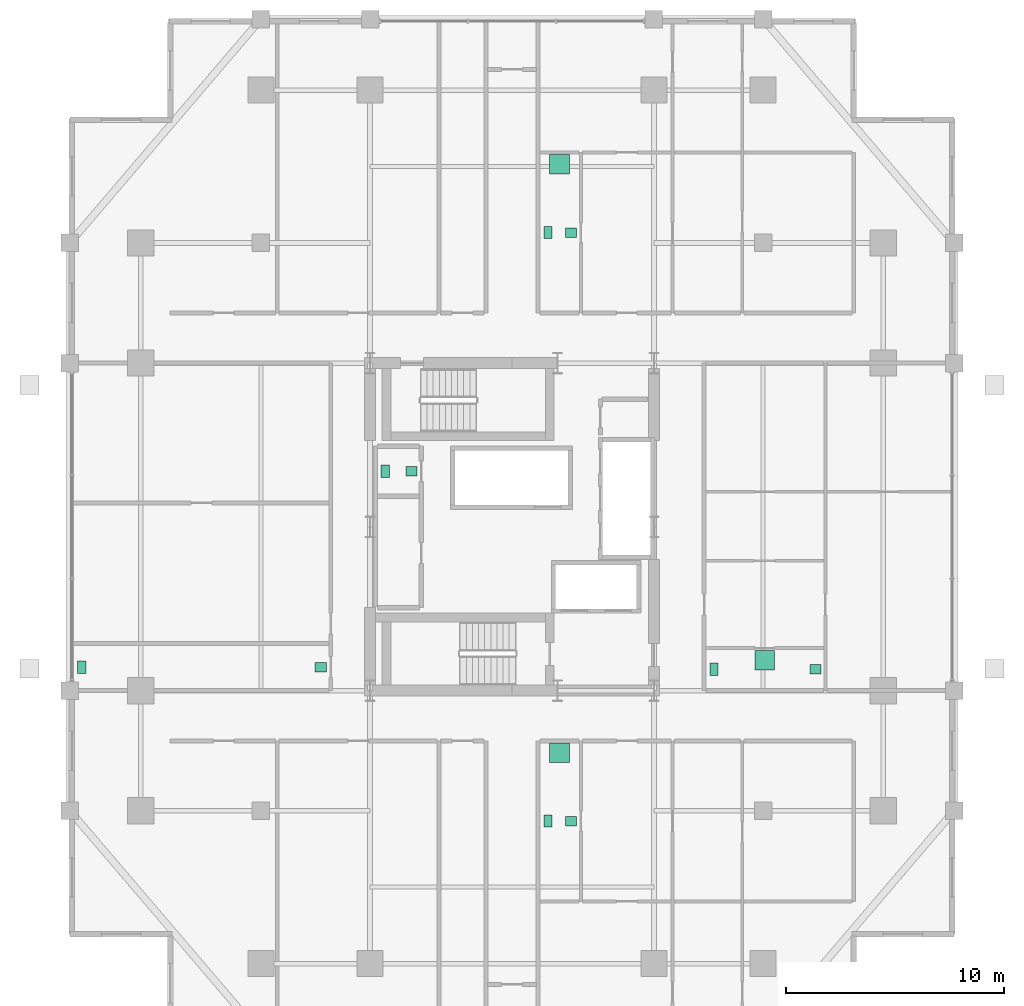
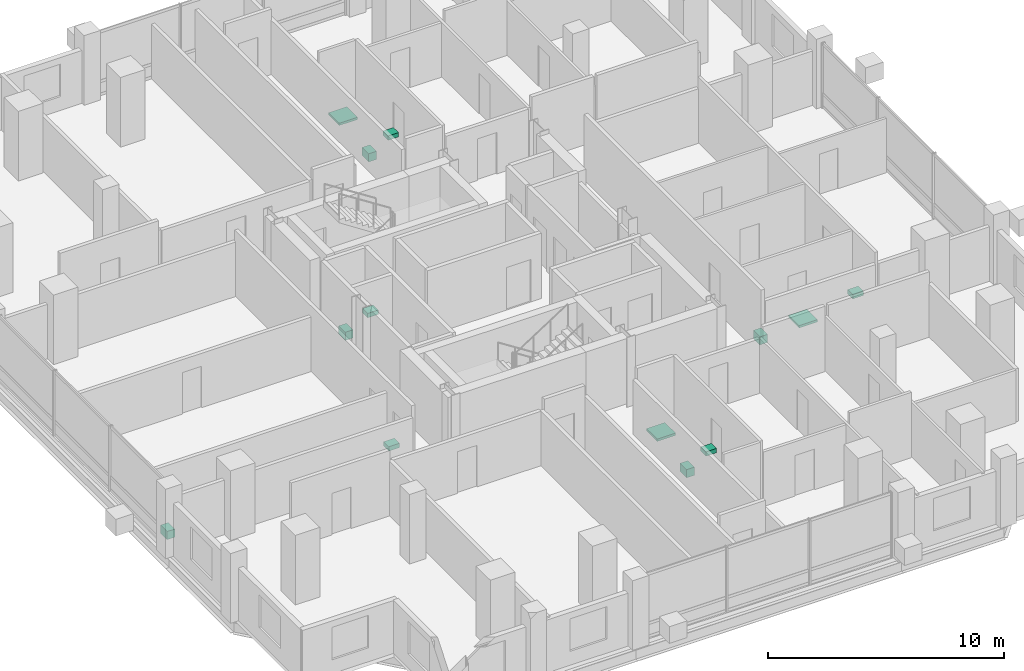
# One storey, part 19 of 19: 13 sanitary terminals.
"""IFC4 building model written with IfcOpenShell, lengths in metres."""

from ifc_helpers import new_model, si_unit, direction, frame, origin, origin_2d, place, context, subcontext, project, spatial, rectangle, extrude, material, type_object, element, save


model = new_model("IFC4")

# Units and contexts
model_context = context("Model", 3, precision=1e-05, world=origin(), true_north=direction((0.0, 1.0)))
body_context = subcontext(model_context, "Body", "Model", "MODEL_VIEW")
ifc_project = project(units=[si_unit("LENGTHUNIT", "METRE"), si_unit("AREAUNIT", "SQUARE_METRE"), si_unit("VOLUMEUNIT", "CUBIC_METRE"), si_unit("PLANEANGLEUNIT", "RADIAN"), si_unit("MASSUNIT", "GRAM", prefix="KILO")], contexts=[model_context])

# Site, building, storey
site_placement = place(None, origin())
site = spatial("IfcSite", under=ifc_project, at=site_placement, CompositionType="ELEMENT")
building_placement = place(site_placement, origin())
building = spatial("IfcBuilding", under=site, at=building_placement, Name="Barlavira Tower and Art Museum", CompositionType="ELEMENT")
storey_placement = place(building_placement, frame((0.0, 0.0, 158.39990234375)))
storey = spatial("IfcBuildingStorey", under=building, at=storey_placement, Name="L40", CompositionType="ELEMENT", Elevation=158.39990234375)

# Sanitary terminals
ifc_material = material(Name="Vitreous glazed ceramic", Category="ceramic")
sanitary_terminal_type_1 = type_object("IfcSanitaryTerminalType", Name="Countertop Ceramic Wash Hand Basin", PredefinedType="WASHHANDBASIN", material=ifc_material)
for number, where, z_axis, x_axis, name in (
    (1, (-4.60009765625, 2.550048828125, 0.740234375), (0.0, 0.0, 1.0), (1.0, 0.0, 0.0), "L40-C-REC1W Wash Basin"),
    (2, (2.699951171875, -13.47509765625, 0.740234375), (0.0, 0.0, 1.0), (1.0, 0.0, 0.0), "L40-SE1-BTH1 Wash Basin"),
    (3, (2.699951171875, 13.47509765625, 0.740234375), (0.0, 0.0, 1.0), (1.0, 0.0, 0.0), "L40-NE1-BTH1 Wash Basin"),
    (4, (-8.75, -6.425048828125, 0.740234375), (0.0, 0.0, 1.0), (1.0, 0.0, 0.0), "L40-W-SWC Wash Basin"),
    (5, (13.89990234375, -6.52490234375, 0.740234375), (0.0, 0.0, 1.0), (1.0, 0.0, 0.0), "L40-E1-BTH1 Wash Basin"),
):
    element("IfcSanitaryTerminal", number, at=place(storey_placement, frame(where, z_axis=z_axis, x_axis=x_axis)), inside=storey, type_object=sanitary_terminal_type_1, Name=name, PredefinedType="WASHHANDBASIN", context=body_context, shape_type="SweptSolid", body=[
        extrude(rectangle(XDim=0.52001953125, YDim=0.43994140625, at=origin_2d()), origin(), (0.0, 0.0, 1.0), 0.219970703125),
    ])
sanitary_terminal_type_2 = type_object("IfcSanitaryTerminalType", Name="Walk-In Thermostatic Rain Shower Unit", PredefinedType="SHOWER", material=ifc_material)
for number, where, z_axis, x_axis, name in (
    (6, (2.175048828125, -10.35009765625, 0.0), (0.0, 0.0, 1.0), (1.0, 0.0, 0.0), "L40-SE1-BTH1 Rain Shower"),
    (7, (2.175048828125, 16.60009765625, 0.0), (0.0, 0.0, 1.0), (1.0, 0.0, 0.0), "L40-NE1-BTH1 Rain Shower"),
    (8, (11.574951171875, -6.10009765625, 0.0), (0.0, 0.0, 1.0), (1.0, 0.0, 0.0), "L40-E1-BTH1 Rain Shower"),
):
    element("IfcSanitaryTerminal", number, at=place(storey_placement, frame(where, z_axis=z_axis, x_axis=x_axis)), inside=storey, type_object=sanitary_terminal_type_2, Name=name, PredefinedType="SHOWER", context=body_context, shape_type="SweptSolid", body=[
        extrude(rectangle(XDim=0.89990234375, YDim=0.89990234375, at=origin_2d()), origin(), (0.0, 0.0, 1.0), 0.1201171875),
    ])
sanitary_terminal_type_3 = type_object("IfcSanitaryTerminalType", Name="Wall-Hung Dual-Flush Vitreous WC Pan", PredefinedType="TOILETPAN", material=ifc_material)
for number, where, z_axis, x_axis, name in (
    (9, (-5.800048828125, 2.550048828125, 0.000244140625), (0.0, 0.0, 1.0), (1.0, 0.0, 0.0), "L40-C-REC1W WC Pan"),
    (10, (1.64990234375, -13.47509765625, 0.000244140625), (0.0, 0.0, 1.0), (1.0, 0.0, 0.0), "L40-SE1-BTH1 WC Pan"),
    (11, (1.64990234375, 13.47509765625, 0.000244140625), (0.0, 0.0, 1.0), (1.0, 0.0, 0.0), "L40-NE1-BTH1 WC Pan"),
    (12, (-19.699951171875, -6.425048828125, 0.000244140625), (0.0, 0.0, 1.0), (1.0, 0.0, 0.0), "L40-W-SWC WC Pan"),
    (13, (9.25, -6.52490234375, 0.000244140625), (0.0, 0.0, 1.0), (1.0, 0.0, 0.0), "L40-E1-BTH1 WC Pan"),
):
    element("IfcSanitaryTerminal", number, at=place(storey_placement, frame(where, z_axis=z_axis, x_axis=x_axis)), inside=storey, type_object=sanitary_terminal_type_3, Name=name, PredefinedType="TOILETPAN", context=body_context, shape_type="SweptSolid", body=[
        extrude(rectangle(XDim=0.3798828125, YDim=0.56005859375, at=origin_2d()), origin(), (0.0, 0.0, 1.0), 0.419921875),
    ])

save(model, "model.ifc")
